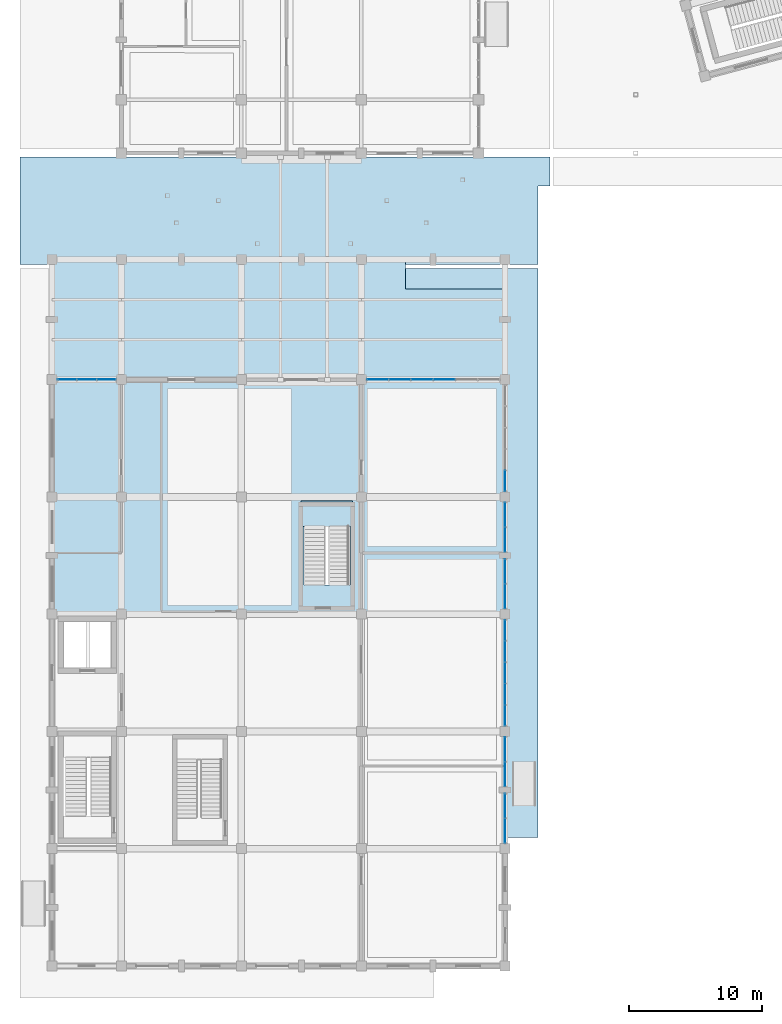
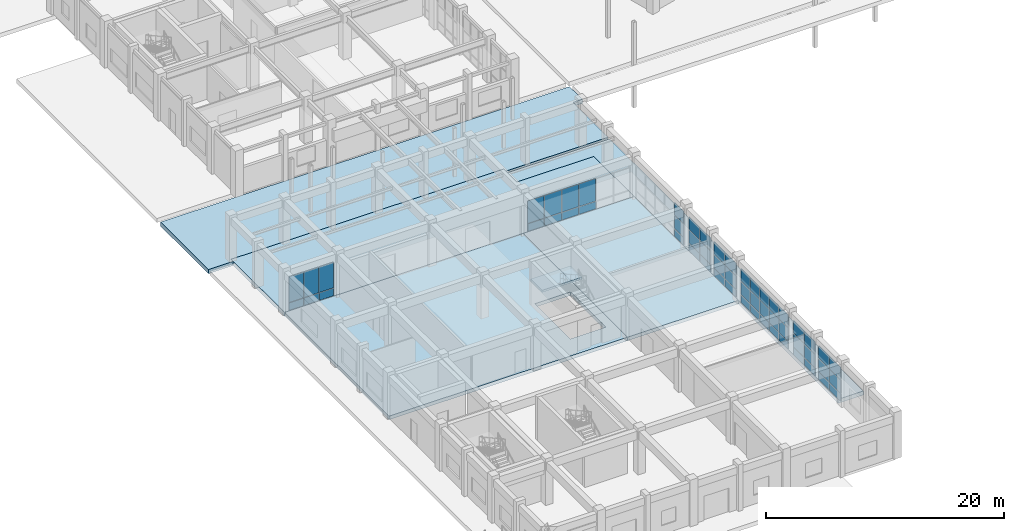
# One storey, part 28 of 47: 56 plates, 6 slabs, 9 elements without a shape of their own.
"""IFC4 building model written with IfcOpenShell, lengths in metres."""

import ifcopenshell
import ifcopenshell.guid

model = None  # the IFC model being written
_history = None  # IfcOwnerHistory: only IFC2X3 demands one
_inside = {}  # id of a spatial element -> (the spatial element, [elements in it])
_under = {}  # id of a project, library or spatial element -> (it, [spatial elements below it])
_declared = {}  # id of a project -> (the project, [libraries it declares])
_typed = {}  # id of a type object -> (the type object, [elements of that type])
_made_of = {}  # id of a material, layer set ... -> (it, [elements and type objects made of it])


def new_model(schema):
    """Start an empty IFC model of exactly this schema.

    Asked for "IFC4X3", IfcOpenShell would pick the latest addendum, in which some entities
    have other attributes; the version numbers below select the first issue.
    IFC2X3 requires an IfcOwnerHistory on every rooted entity: one is made here for all.
    """
    global model, _history
    if schema == "IFC4X3":
        model = ifcopenshell.file(schema_version=(4, 3, 0, 0))
    else:
        model = ifcopenshell.file(schema=schema)
    _inside.clear()
    _under.clear()
    _declared.clear()
    _typed.clear()
    _made_of.clear()
    _history = None
    if model.schema == "IFC2X3":
        org = make("IfcOrganization", Name="unknown")
        user = make(
            "IfcPersonAndOrganization",
            ThePerson=make("IfcPerson", FamilyName="unknown"),
            TheOrganization=org,
        )
        app = make(
            "IfcApplication",
            ApplicationDeveloper=org,
            Version="unknown",
            ApplicationFullName="unknown",
            ApplicationIdentifier="unknown",
        )
        _history = make(
            "IfcOwnerHistory",
            OwningUser=user,
            OwningApplication=app,
            ChangeAction="ADDED",
            CreationDate=0,
        )
    return model


def make(cls, **values):
    """One entity of the class cls with the attributes given. An attribute that is None is left unset."""
    return model.create_entity(
        cls, **{name: value for name, value in values.items() if value is not None}
    )


def rooted(cls, **values):
    """An entity with a GlobalId (a new one), such as an element, a storey or a relation."""
    return make(cls, GlobalId=ifcopenshell.guid.new(), OwnerHistory=_history, **values)


def si_unit(unit_type, name, prefix=None):
    """IfcSIUnit, for example si_unit("LENGTHUNIT", "METRE", prefix="MILLI")."""
    return make("IfcSIUnit", UnitType=unit_type, Prefix=prefix, Name=name)


def assignment(units):
    """IfcUnitAssignment: the units of a project."""
    return None if units is None else make("IfcUnitAssignment", Units=units)


def point(xyz):
    """IfcCartesianPoint."""
    return None if xyz is None else make("IfcCartesianPoint", Coordinates=xyz)


def direction(xyz):
    """IfcDirection."""
    return None if xyz is None else make("IfcDirection", DirectionRatios=xyz)


def frame(location, z_axis=None, x_axis=None):
    """IfcAxis2Placement3D, a coordinate frame: its origin and axes. An axis left out is left unset."""
    return make(
        "IfcAxis2Placement3D",
        Location=point(location),
        Axis=direction(z_axis),
        RefDirection=direction(x_axis),
    )


def frame_2d(location, x_axis=None):
    """IfcAxis2Placement2D, a coordinate frame in the plane: its origin and x axis."""
    return make(
        "IfcAxis2Placement2D", Location=point(location), RefDirection=direction(x_axis)
    )


def origin():
    """The frame at (0, 0, 0) with its axes left unset."""
    return frame((0.0, 0.0, 0.0))


def origin_2d():
    """The frame at (0, 0) in the plane with its x axis left unset."""
    return frame_2d((0.0, 0.0))


def place(relative_to, where):
    """IfcLocalPlacement: puts the frame where relative to a parent placement (None: the world)."""
    return make(
        "IfcLocalPlacement", PlacementRelTo=relative_to, RelativePlacement=where
    )


def context(
    kind, dimensions, precision=None, world=None, true_north=None, identifier=None
):
    """IfcGeometricRepresentationContext, for example the 3D "Model" context."""
    return make(
        "IfcGeometricRepresentationContext",
        ContextIdentifier=identifier,
        ContextType=kind,
        CoordinateSpaceDimension=dimensions,
        Precision=precision,
        WorldCoordinateSystem=world,
        TrueNorth=true_north,
    )


def subcontext(parent, identifier, kind, view, scale=None):
    """IfcGeometricRepresentationSubContext, for example "Body" below "Model"."""
    return make(
        "IfcGeometricRepresentationSubContext",
        ContextIdentifier=identifier,
        ContextType=kind,
        ParentContext=parent,
        TargetScale=scale,
        TargetView=view,
    )


def project(units=None, contexts=None):
    """IfcProject with its units and contexts."""
    return rooted(
        "IfcProject",
        Name="project",
        RepresentationContexts=contexts,
        UnitsInContext=assignment(units),
    )


def spatial(cls, under=None, at=None, **own):
    """A site, building, storey or space (cls), placed at a placement, below another one or the project."""
    s = rooted(cls, ObjectPlacement=at, **own)
    if under is not None:
        _under.setdefault(under.id(), (under, []))[1].append(s)
    return s


def polyline(points):
    """IfcPolyline through the points."""
    return make("IfcPolyline", Points=[point(p) for p in points])


def profile(cls, at=None, kind="AREA", **sizes):
    """A parametric profile (cls). Its sizes go by their IFC names, for example OverallWidth=200.0."""
    return make(cls, ProfileType=kind, Position=at, **sizes)


def rectangle(**sizes):
    """IfcRectangleProfileDef."""
    return profile("IfcRectangleProfileDef", **sizes)


def outline(outer, holes=None, kind="AREA"):
    """IfcArbitraryClosedProfileDef: a profile drawn as a closed curve; with holes, ...WithVoids."""
    if holes is None:
        return make("IfcArbitraryClosedProfileDef", ProfileType=kind, OuterCurve=outer)
    return make(
        "IfcArbitraryProfileDefWithVoids",
        ProfileType=kind,
        OuterCurve=outer,
        InnerCurves=holes,
    )


def extrude(swept, where, along, depth):
    """IfcExtrudedAreaSolid: the profile swept, set in the frame where, extruded along a direction by depth."""
    return make(
        "IfcExtrudedAreaSolid",
        SweptArea=swept,
        Position=where,
        ExtrudedDirection=direction(along),
        Depth=depth,
    )


def shape(context_of_items, identifier, shape_type, items):
    """IfcShapeRepresentation: the items that make up one representation, for example the "Body"."""
    return make(
        "IfcShapeRepresentation",
        ContextOfItems=context_of_items,
        RepresentationIdentifier=identifier,
        RepresentationType=shape_type,
        Items=items,
    )


def material(Name=None, Category=None):
    """IfcMaterial."""
    return make("IfcMaterial", Name=Name, Category=Category)


def layer(
    of_material, thickness, ventilated=None, Name=None, Category=None, Priority=None
):
    """IfcMaterialLayer: one layer of a wall or slab, of a material (None: an air gap)."""
    return make(
        "IfcMaterialLayer",
        Material=of_material,
        LayerThickness=thickness,
        IsVentilated=ventilated,
        Name=Name,
        Category=Category,
        Priority=Priority,
    )


def layer_set(layers, Name=None):
    """IfcMaterialLayerSet."""
    return make("IfcMaterialLayerSet", MaterialLayers=layers, LayerSetName=Name)


def made_of(thing, what):
    """Note that an element or type object is made of a material, layer set ...; save() writes the relation."""
    if what is not None:
        _made_of.setdefault(what.id(), (what, []))[1].append(thing)
    return thing


def type_object(cls, material=None, **own):
    """A type object (cls), such as IfcWallType, which elements share."""
    return made_of(rooted(cls, **own), material)


def element(
    cls,
    number,
    at=None,
    inside=None,
    cuts=None,
    type_object=None,
    material=None,
    context=None,
    identifier="Body",
    shape_type=None,
    held_by="IfcProductDefinitionShape",
    body=None,
    shapes=None,
    **own,
):
    """One element of the class cls, such as IfcWall. Its Tag is "e" and its number.

    at: its placement. inside: the storey or other place that contains it. cuts: it is an
    opening in that element (IfcRelVoidsElement). A single representation is given by context,
    identifier, shape_type and body (its items); several are given by shapes. held_by: the class
    of the entity that holds the representations. save() writes the other relations.
    """
    e = rooted(cls, Tag="e%d" % number, ObjectPlacement=at, **own)
    if body is not None:
        shapes = [shape(context, identifier, shape_type, body)]
    if shapes is not None:
        e.Representation = make(held_by, Representations=shapes)
    if inside is not None:
        _inside.setdefault(inside.id(), (inside, []))[1].append(e)
    if cuts is not None:
        rooted(
            "IfcRelVoidsElement", RelatingBuildingElement=cuts, RelatedOpeningElement=e
        )
    if type_object is not None:
        _typed.setdefault(type_object.id(), (type_object, []))[1].append(e)
    return made_of(e, material)


def aggregate(whole, parts):
    """IfcRelAggregates: a whole, such as a stair, and the parts it consists of."""
    return rooted("IfcRelAggregates", RelatingObject=whole, RelatedObjects=parts)


def save(model, path):
    """Write the relations noted so far, then the file.

    IfcRelAggregates (storeys below a building ...), IfcRelContainedInSpatialStructure (elements
    in a storey), IfcRelDefinesByType, IfcRelAssociatesMaterial and IfcRelDeclares: one each for
    every whole, place, type object, material and project.
    """
    for whole, parts in _under.values():
        aggregate(whole, parts)
    for where, things in _inside.values():
        rooted(
            "IfcRelContainedInSpatialStructure",
            RelatedElements=things,
            RelatingStructure=where,
        )
    for kind, things in _typed.values():
        rooted("IfcRelDefinesByType", RelatedObjects=things, RelatingType=kind)
    for what, things in _made_of.values():
        rooted("IfcRelAssociatesMaterial", RelatedObjects=things, RelatingMaterial=what)
    for by, libraries in _declared.values():
        rooted("IfcRelDeclares", RelatingContext=by, RelatedDefinitions=libraries)
    model.write(path)


model = new_model("IFC4")

# Units and contexts
model_context = context("Model", 3, precision=1e-05, world=origin(), true_north=direction((0.0, 1.0)))
body_context = subcontext(model_context, "Body", "Model", "MODEL_VIEW")
ifc_project = project(units=[si_unit("LENGTHUNIT", "METRE"), si_unit("AREAUNIT", "SQUARE_METRE"), si_unit("VOLUMEUNIT", "CUBIC_METRE"), si_unit("PLANEANGLEUNIT", "RADIAN"), si_unit("MASSUNIT", "GRAM", prefix="KILO")], contexts=[model_context])

# Site, building, storey
site_placement = place(None, origin())
site = spatial("IfcSite", under=ifc_project, at=site_placement, CompositionType="ELEMENT")
building_placement = place(site_placement, origin())
building = spatial("IfcBuilding", under=site, at=building_placement, Name="Ventoquebrada Cableway Terminal", CompositionType="ELEMENT")
storey_placement = place(building_placement, origin())
storey = spatial("IfcBuildingStorey", under=building, at=storey_placement, Name="L00", CompositionType="ELEMENT", Elevation=0.0)

# Curtain wall, plates
ifc_material_1 = material(Name="Anodized thermally-broken aluminium", Category="aluminium")
ifc_layer_1 = layer(ifc_material_1, 0.159912109375)
ifc_layer_set_1 = layer_set([ifc_layer_1], Name="Anodized thermally-broken aluminium")
curtain_wall_type_1 = type_object("IfcCurtainWallType", Name="CW-T01", PredefinedType="USERDEFINED", material=ifc_layer_set_1)
curtain_wall_1_placement = place(storey_placement, origin())
curtain_wall_1 = element("IfcCurtainWall", 1, at=curtain_wall_1_placement, inside=storey, type_object=curtain_wall_type_1, Name="Unitised glazed curtain wall CW-001", ObjectType="UNITISED CURTAIN WALL", PredefinedType="USERDEFINED")
ifc_material_2 = material(Name="Double low-e laminated safety glazing", Category="glass")
ifc_layer_2 = layer(ifc_material_2, 0.031982421875)
ifc_layer_set_2 = layer_set([ifc_layer_2], Name="Double low-e laminated safety glazing")
plate_type_1 = type_object("IfcPlateType", Name="CWP-GL1", PredefinedType="CURTAIN_PANEL", material=ifc_layer_set_2)
plate_1_placement = place(storey_placement, frame((37.0, 13.14501953125, 2.2724609375), z_axis=(0.0, 0.0, 1.0), x_axis=(0.0, 1.0, 0.0)))
plate_1 = element("IfcPlate", 2, at=plate_1_placement, type_object=plate_type_1, Name="Vision glazing panel PN-0003", PredefinedType="CURTAIN_PANEL", context=body_context, shape_type="SweptSolid", body=[
    extrude(rectangle(XDim=1.81103515625, YDim=0.031982421875, at=origin_2d()), origin(), (0.0, 0.0, 1.0), 1.29296875),
])
plate_2_placement = place(storey_placement, frame((37.0, 15.0048828125, 0.87451171875), z_axis=(0.0, 0.0, 1.0), x_axis=(0.0, 1.0, 0.0)))
plate_2 = element("IfcPlate", 3, at=plate_2_placement, type_object=plate_type_1, Name="Vision glazing panel PN-0005", PredefinedType="CURTAIN_PANEL", context=body_context, shape_type="SweptSolid", body=[
    extrude(rectangle(XDim=1.81103515625, YDim=0.031982421875, at=origin_2d()), origin(), (0.0, 0.0, 1.0), 1.34912109375),
])

curtain_wall_2_placement = place(storey_placement, origin())
curtain_wall_2 = element("IfcCurtainWall", 4, at=curtain_wall_2_placement, inside=storey, type_object=curtain_wall_type_1, Name="Unitised glazed curtain wall CW-002", ObjectType="UNITISED CURTAIN WALL", PredefinedType="USERDEFINED")
plate_3_placement = place(storey_placement, frame((37.0, 17.39501953125, 2.2724609375), z_axis=(0.0, 0.0, 1.0), x_axis=(0.0, 1.0, 0.0)))
plate_3 = element("IfcPlate", 5, at=plate_3_placement, type_object=plate_type_1, Name="Vision glazing panel PN-0009", PredefinedType="CURTAIN_PANEL", context=body_context, shape_type="SweptSolid", body=[
    extrude(rectangle(XDim=1.81103515625, YDim=0.031982421875, at=origin_2d()), origin(), (0.0, 0.0, 1.0), 1.29296875),
])
plate_4_placement = place(storey_placement, frame((37.0, 19.2548828125, 0.87451171875), z_axis=(0.0, 0.0, 1.0), x_axis=(0.0, 1.0, 0.0)))
plate_4 = element("IfcPlate", 6, at=plate_4_placement, type_object=plate_type_1, Name="Vision glazing panel PN-0011", PredefinedType="CURTAIN_PANEL", context=body_context, shape_type="SweptSolid", body=[
    extrude(rectangle(XDim=1.81103515625, YDim=0.031982421875, at=origin_2d()), origin(), (0.0, 0.0, 1.0), 1.34912109375),
])

ifc_layer_3 = layer(ifc_material_1, 0.159912109375)
ifc_layer_set_3 = layer_set([ifc_layer_3], Name="Anodized thermally-broken aluminium")
curtain_wall_type_2 = type_object("IfcCurtainWallType", Name="CW-T02", PredefinedType="USERDEFINED", material=ifc_layer_set_3)
curtain_wall_3_placement = place(storey_placement, origin())
curtain_wall_3 = element("IfcCurtainWall", 7, at=curtain_wall_3_placement, inside=storey, type_object=curtain_wall_type_2, Name="Unitised glazed curtain wall CW-003", ObjectType="UNITISED CURTAIN WALL", PredefinedType="USERDEFINED")
plate_5_placement = place(storey_placement, frame((37.0, 21.802001953125, 2.2724609375), z_axis=(0.0, 0.0, 1.0), x_axis=(0.0, 1.0, 0.0)))
plate_5 = element("IfcPlate", 8, at=plate_5_placement, type_object=plate_type_1, Name="Vision glazing panel PN-0015", PredefinedType="CURTAIN_PANEL", context=body_context, shape_type="SweptSolid", body=[
    extrude(rectangle(XDim=1.52392578125, YDim=0.031982421875, at=origin_2d()), origin(), (0.0, 0.0, 1.0), 1.29296875),
])
plate_6_placement = place(storey_placement, frame((37.0, 23.39208984375, 0.87451171875), z_axis=(0.0, 0.0, 1.0), x_axis=(0.0, 1.0, 0.0)))
plate_6 = element("IfcPlate", 9, at=plate_6_placement, type_object=plate_type_1, Name="Vision glazing panel PN-0017", PredefinedType="CURTAIN_PANEL", context=body_context, shape_type="SweptSolid", body=[
    extrude(rectangle(XDim=1.55908203125, YDim=0.031982421875, at=origin_2d()), origin(), (0.0, 0.0, 1.0), 1.34912109375),
])
plate_7_placement = place(storey_placement, frame((37.0, 25.0, 2.2724609375), z_axis=(0.0, 0.0, 1.0), x_axis=(0.0, 1.0, 0.0)))
plate_7 = element("IfcPlate", 10, at=plate_7_placement, type_object=plate_type_1, Name="Vision glazing panel PN-0021", PredefinedType="CURTAIN_PANEL", context=body_context, shape_type="SweptSolid", body=[
    extrude(rectangle(XDim=1.55908203125, YDim=0.031982421875, at=origin_2d()), origin(), (0.0, 0.0, 1.0), 1.29296875),
])
plate_8_placement = place(storey_placement, frame((37.0, 26.60791015625, 0.87451171875), z_axis=(0.0, 0.0, 1.0), x_axis=(0.0, 1.0, 0.0)))
plate_8 = element("IfcPlate", 11, at=plate_8_placement, type_object=plate_type_1, Name="Vision glazing panel PN-0023", PredefinedType="CURTAIN_PANEL", context=body_context, shape_type="SweptSolid", body=[
    extrude(rectangle(XDim=1.55908203125, YDim=0.031982421875, at=origin_2d()), origin(), (0.0, 0.0, 1.0), 1.34912109375),
])
plate_9_placement = place(storey_placement, frame((37.0, 28.197998046875, 2.2724609375), z_axis=(0.0, 0.0, 1.0), x_axis=(0.0, 1.0, 0.0)))
plate_9 = element("IfcPlate", 12, at=plate_9_placement, type_object=plate_type_1, Name="Vision glazing panel PN-0027", PredefinedType="CURTAIN_PANEL", context=body_context, shape_type="SweptSolid", body=[
    extrude(rectangle(XDim=1.52392578125, YDim=0.031982421875, at=origin_2d()), origin(), (0.0, 0.0, 1.0), 1.29296875),
])

curtain_wall_4_placement = place(storey_placement, origin())
curtain_wall_4 = element("IfcCurtainWall", 13, at=curtain_wall_4_placement, inside=storey, type_object=curtain_wall_type_1, Name="Unitised glazed curtain wall CW-004", ObjectType="UNITISED CURTAIN WALL", PredefinedType="USERDEFINED")
plate_10_placement = place(storey_placement, frame((37.0, 30.7451171875, 2.2724609375), z_axis=(0.0, 0.0, 1.0), x_axis=(0.0, 1.0, 0.0)))
plate_10 = element("IfcPlate", 14, at=plate_10_placement, type_object=plate_type_1, Name="Vision glazing panel PN-0030", PredefinedType="CURTAIN_PANEL", context=body_context, shape_type="SweptSolid", body=[
    extrude(rectangle(XDim=1.81103515625, YDim=0.031982421875, at=origin_2d()), origin(), (0.0, 0.0, 1.0), 1.29296875),
])
plate_11_placement = place(storey_placement, frame((37.0, 32.60498046875, 0.87451171875), z_axis=(0.0, 0.0, 1.0), x_axis=(0.0, 1.0, 0.0)))
plate_11 = element("IfcPlate", 15, at=plate_11_placement, type_object=plate_type_1, Name="Vision glazing panel PN-0032", PredefinedType="CURTAIN_PANEL", context=body_context, shape_type="SweptSolid", body=[
    extrude(rectangle(XDim=1.81103515625, YDim=0.031982421875, at=origin_2d()), origin(), (0.0, 0.0, 1.0), 1.34912109375),
])

curtain_wall_5_placement = place(storey_placement, origin())
curtain_wall_5 = element("IfcCurtainWall", 16, at=curtain_wall_5_placement, inside=storey, type_object=curtain_wall_type_1, Name="Unitised glazed curtain wall CW-005", ObjectType="UNITISED CURTAIN WALL", PredefinedType="USERDEFINED")
plate_12_placement = place(storey_placement, frame((37.0, 34.99609375, 2.2724609375), z_axis=(0.0, 0.0, 1.0), x_axis=(0.0, 1.0, 0.0)))
plate_12 = element("IfcPlate", 17, at=plate_12_placement, type_object=plate_type_1, Name="Vision glazing panel PN-0036", PredefinedType="CURTAIN_PANEL", context=body_context, shape_type="SweptSolid", body=[
    extrude(rectangle(XDim=1.81103515625, YDim=0.031982421875, at=origin_2d()), origin(), (0.0, 0.0, 1.0), 1.29296875),
])
plate_13_placement = place(storey_placement, frame((37.0, 36.85595703125, 0.87451171875), z_axis=(0.0, 0.0, 1.0), x_axis=(0.0, 1.0, 0.0)))
plate_13 = element("IfcPlate", 18, at=plate_13_placement, type_object=plate_type_1, Name="Vision glazing panel PN-0038", PredefinedType="CURTAIN_PANEL", context=body_context, shape_type="SweptSolid", body=[
    extrude(rectangle(XDim=1.81103515625, YDim=0.031982421875, at=origin_2d()), origin(), (0.0, 0.0, 1.0), 1.34912109375),
])

# Curtain wall, plate
curtain_wall_6_placement = place(storey_placement, origin())
curtain_wall_6 = element("IfcCurtainWall", 19, at=curtain_wall_6_placement, inside=storey, type_object=curtain_wall_type_2, Name="Unitised glazed curtain wall CW-006", ObjectType="UNITISED CURTAIN WALL", PredefinedType="USERDEFINED")
plate_14_placement = place(storey_placement, frame((37.0, 39.40087890625, 2.2724609375), z_axis=(0.0, 0.0, 1.0), x_axis=(0.0, 1.0, 0.0)))
plate_14 = element("IfcPlate", 20, at=plate_14_placement, type_object=plate_type_1, Name="Vision glazing panel PN-0042", PredefinedType="CURTAIN_PANEL", context=body_context, shape_type="SweptSolid", body=[
    extrude(rectangle(XDim=1.52392578125, YDim=0.031982421875, at=origin_2d()), origin(), (0.0, 0.0, 1.0), 1.29296875),
])

ifc_layer_4 = layer(ifc_material_1, 0.159912109375)
ifc_layer_set_4 = layer_set([ifc_layer_4], Name="Anodized thermally-broken aluminium")
curtain_wall_type_3 = type_object("IfcCurtainWallType", Name="CW-T03", PredefinedType="USERDEFINED", material=ifc_layer_set_4)
curtain_wall_7_placement = place(storey_placement, origin())
curtain_wall_7 = element("IfcCurtainWall", 21, at=curtain_wall_7_placement, inside=storey, type_object=curtain_wall_type_3, Name="Unitised glazed curtain wall CW-007", ObjectType="UNITISED CURTAIN WALL", PredefinedType="USERDEFINED")
plate_15_placement = place(storey_placement, frame((5.60009765625, 47.0, 0.87451171875), z_axis=(0.0, 0.0, 1.0), x_axis=(-1.0, 0.0, 0.0)))
plate_15 = element("IfcPlate", 22, at=plate_15_placement, type_object=plate_type_1, Name="Vision glazing panel PN-0058", PredefinedType="CURTAIN_PANEL", context=body_context, shape_type="SweptSolid", body=[
    extrude(rectangle(XDim=1.430908203125, YDim=0.031982421875, at=origin_2d()), origin(), (0.0, 0.0, 1.0), 2.65087890625),
])

# Curtain wall, plates
ifc_layer_5 = layer(ifc_material_1, 0.159912109375)
ifc_layer_set_5 = layer_set([ifc_layer_5], Name="Anodized thermally-broken aluminium")
curtain_wall_type_4 = type_object("IfcCurtainWallType", Name="CW-T04", PredefinedType="USERDEFINED", material=ifc_layer_set_5)
curtain_wall_8_placement = place(storey_placement, origin())
curtain_wall_8 = element("IfcCurtainWall", 23, at=curtain_wall_8_placement, inside=storey, type_object=curtain_wall_type_4, Name="Unitised glazed curtain wall CW-008", ObjectType="UNITISED CURTAIN WALL", PredefinedType="USERDEFINED")
plate_16_placement = place(storey_placement, frame((30.762939453125, 47.0, 0.87451171875), z_axis=(0.0, 0.0, 1.0), x_axis=(-1.0, 0.0, 0.0)))
plate_16 = element("IfcPlate", 24, at=plate_16_placement, type_object=plate_type_1, Name="Vision glazing panel PN-0068", PredefinedType="CURTAIN_PANEL", context=body_context, shape_type="SweptSolid", body=[
    extrude(rectangle(XDim=1.6240234375, YDim=0.031982421875, at=origin_2d()), origin(), (0.0, 0.0, 1.0), 2.301025390625),
])
plate_17_placement = place(storey_placement, frame((27.43408203125, 47.0, 0.87451171875), z_axis=(0.0, 0.0, 1.0), x_axis=(-1.0, 0.0, 0.0)))
plate_17 = element("IfcPlate", 25, at=plate_17_placement, type_object=plate_type_1, Name="Vision glazing panel PN-0072", PredefinedType="CURTAIN_PANEL", context=body_context, shape_type="SweptSolid", body=[
    extrude(rectangle(XDim=1.589111328125, YDim=0.031982421875, at=origin_2d()), origin(), (0.0, 0.0, 1.0), 2.301025390625),
])

# Plate
ifc_layer_6 = layer(ifc_material_2, 0.0380859375)
ifc_layer_set_6 = layer_set([ifc_layer_6], Name="Double low-e laminated safety glazing")
plate_type_2 = type_object("IfcPlateType", Name="CWP-GL2", PredefinedType="CURTAIN_PANEL", material=ifc_layer_set_6)
plate_18_placement = place(storey_placement, frame((37.0, 13.14501953125, 0.87451171875), z_axis=(0.0, 0.0, 1.0), x_axis=(0.0, 1.0, 0.0)))
plate_18 = element("IfcPlate", 26, at=plate_18_placement, type_object=plate_type_2, Name="Vision glazing panel PN-0002", PredefinedType="CURTAIN_PANEL", context=body_context, shape_type="SweptSolid", body=[
    extrude(rectangle(XDim=1.81103515625, YDim=0.0380859375, at=origin_2d()), origin(), (0.0, 0.0, 1.0), 1.34912109375),
])

plate_19_placement = place(storey_placement, frame((37.0, 15.0048828125, 2.2724609375), z_axis=(0.0, 0.0, 1.0), x_axis=(0.0, 1.0, 0.0)))
plate_19 = element("IfcPlate", 27, at=plate_19_placement, type_object=plate_type_2, Name="Vision glazing panel PN-0006", PredefinedType="CURTAIN_PANEL", context=body_context, shape_type="SweptSolid", body=[
    extrude(rectangle(XDim=1.81103515625, YDim=0.0380859375, at=origin_2d()), origin(), (0.0, 0.0, 1.0), 1.29296875),
])

plate_20_placement = place(storey_placement, frame((37.0, 17.39501953125, 0.87451171875), z_axis=(0.0, 0.0, 1.0), x_axis=(0.0, 1.0, 0.0)))
plate_20 = element("IfcPlate", 28, at=plate_20_placement, type_object=plate_type_2, Name="Vision glazing panel PN-0008", PredefinedType="CURTAIN_PANEL", context=body_context, shape_type="SweptSolid", body=[
    extrude(rectangle(XDim=1.81103515625, YDim=0.0380859375, at=origin_2d()), origin(), (0.0, 0.0, 1.0), 1.34912109375),
])

plate_21_placement = place(storey_placement, frame((37.0, 19.2548828125, 2.2724609375), z_axis=(0.0, 0.0, 1.0), x_axis=(0.0, 1.0, 0.0)))
plate_21 = element("IfcPlate", 29, at=plate_21_placement, type_object=plate_type_2, Name="Vision glazing panel PN-0012", PredefinedType="CURTAIN_PANEL", context=body_context, shape_type="SweptSolid", body=[
    extrude(rectangle(XDim=1.81103515625, YDim=0.0380859375, at=origin_2d()), origin(), (0.0, 0.0, 1.0), 1.29296875),
])

plate_22_placement = place(storey_placement, frame((37.0, 21.802001953125, 0.87451171875), z_axis=(0.0, 0.0, 1.0), x_axis=(0.0, 1.0, 0.0)))
plate_22 = element("IfcPlate", 30, at=plate_22_placement, type_object=plate_type_2, Name="Vision glazing panel PN-0014", PredefinedType="CURTAIN_PANEL", context=body_context, shape_type="SweptSolid", body=[
    extrude(rectangle(XDim=1.52392578125, YDim=0.0380859375, at=origin_2d()), origin(), (0.0, 0.0, 1.0), 1.34912109375),
])

plate_23_placement = place(storey_placement, frame((37.0, 23.39208984375, 2.2724609375), z_axis=(0.0, 0.0, 1.0), x_axis=(0.0, 1.0, 0.0)))
plate_23 = element("IfcPlate", 31, at=plate_23_placement, type_object=plate_type_2, Name="Vision glazing panel PN-0018", PredefinedType="CURTAIN_PANEL", context=body_context, shape_type="SweptSolid", body=[
    extrude(rectangle(XDim=1.55908203125, YDim=0.0380859375, at=origin_2d()), origin(), (0.0, 0.0, 1.0), 1.29296875),
])

plate_24_placement = place(storey_placement, frame((37.0, 25.0, 0.87451171875), z_axis=(0.0, 0.0, 1.0), x_axis=(0.0, 1.0, 0.0)))
plate_24 = element("IfcPlate", 32, at=plate_24_placement, type_object=plate_type_2, Name="Vision glazing panel PN-0020", PredefinedType="CURTAIN_PANEL", context=body_context, shape_type="SweptSolid", body=[
    extrude(rectangle(XDim=1.55908203125, YDim=0.0380859375, at=origin_2d()), origin(), (0.0, 0.0, 1.0), 1.34912109375),
])

plate_25_placement = place(storey_placement, frame((37.0, 26.60791015625, 2.2724609375), z_axis=(0.0, 0.0, 1.0), x_axis=(0.0, 1.0, 0.0)))
plate_25 = element("IfcPlate", 33, at=plate_25_placement, type_object=plate_type_2, Name="Vision glazing panel PN-0024", PredefinedType="CURTAIN_PANEL", context=body_context, shape_type="SweptSolid", body=[
    extrude(rectangle(XDim=1.55908203125, YDim=0.0380859375, at=origin_2d()), origin(), (0.0, 0.0, 1.0), 1.29296875),
])

plate_26_placement = place(storey_placement, frame((37.0, 28.197998046875, 0.87451171875), z_axis=(0.0, 0.0, 1.0), x_axis=(0.0, 1.0, 0.0)))
plate_26 = element("IfcPlate", 34, at=plate_26_placement, type_object=plate_type_2, Name="Vision glazing panel PN-0026", PredefinedType="CURTAIN_PANEL", context=body_context, shape_type="SweptSolid", body=[
    extrude(rectangle(XDim=1.52392578125, YDim=0.0380859375, at=origin_2d()), origin(), (0.0, 0.0, 1.0), 1.34912109375),
])

plate_27_placement = place(storey_placement, frame((37.0, 30.7451171875, 0.87451171875), z_axis=(0.0, 0.0, 1.0), x_axis=(0.0, 1.0, 0.0)))
plate_27 = element("IfcPlate", 35, at=plate_27_placement, type_object=plate_type_2, Name="Vision glazing panel PN-0029", PredefinedType="CURTAIN_PANEL", context=body_context, shape_type="SweptSolid", body=[
    extrude(rectangle(XDim=1.81103515625, YDim=0.0380859375, at=origin_2d()), origin(), (0.0, 0.0, 1.0), 1.34912109375),
])

plate_28_placement = place(storey_placement, frame((37.0, 32.60498046875, 2.2724609375), z_axis=(0.0, 0.0, 1.0), x_axis=(0.0, 1.0, 0.0)))
plate_28 = element("IfcPlate", 36, at=plate_28_placement, type_object=plate_type_2, Name="Vision glazing panel PN-0033", PredefinedType="CURTAIN_PANEL", context=body_context, shape_type="SweptSolid", body=[
    extrude(rectangle(XDim=1.81103515625, YDim=0.0380859375, at=origin_2d()), origin(), (0.0, 0.0, 1.0), 1.29296875),
])

plate_29_placement = place(storey_placement, frame((37.0, 34.99609375, 0.87451171875), z_axis=(0.0, 0.0, 1.0), x_axis=(0.0, 1.0, 0.0)))
plate_29 = element("IfcPlate", 37, at=plate_29_placement, type_object=plate_type_2, Name="Vision glazing panel PN-0035", PredefinedType="CURTAIN_PANEL", context=body_context, shape_type="SweptSolid", body=[
    extrude(rectangle(XDim=1.81103515625, YDim=0.0380859375, at=origin_2d()), origin(), (0.0, 0.0, 1.0), 1.34912109375),
])

plate_30_placement = place(storey_placement, frame((37.0, 36.85595703125, 2.2724609375), z_axis=(0.0, 0.0, 1.0), x_axis=(0.0, 1.0, 0.0)))
plate_30 = element("IfcPlate", 38, at=plate_30_placement, type_object=plate_type_2, Name="Vision glazing panel PN-0039", PredefinedType="CURTAIN_PANEL", context=body_context, shape_type="SweptSolid", body=[
    extrude(rectangle(XDim=1.81103515625, YDim=0.0380859375, at=origin_2d()), origin(), (0.0, 0.0, 1.0), 1.29296875),
])

plate_31_placement = place(storey_placement, frame((37.0, 39.40087890625, 0.87451171875), z_axis=(0.0, 0.0, 1.0), x_axis=(0.0, 1.0, 0.0)))
plate_31 = element("IfcPlate", 39, at=plate_31_placement, type_object=plate_type_2, Name="Vision glazing panel PN-0041", PredefinedType="CURTAIN_PANEL", context=body_context, shape_type="SweptSolid", body=[
    extrude(rectangle(XDim=1.52392578125, YDim=0.0380859375, at=origin_2d()), origin(), (0.0, 0.0, 1.0), 1.34912109375),
])

plate_32_placement = place(storey_placement, frame((7.06201171875, 47.0, 0.87451171875), z_axis=(0.0, 0.0, 1.0), x_axis=(-1.0, 0.0, 0.0)))
plate_32 = element("IfcPlate", 40, at=plate_32_placement, type_object=plate_type_2, Name="Vision glazing panel PN-0056", PredefinedType="CURTAIN_PANEL", context=body_context, shape_type="SweptSolid", body=[
    extrude(rectangle(XDim=1.39599609375, YDim=0.0380859375, at=origin_2d()), origin(), (0.0, 0.0, 1.0), 2.65087890625),
])

plate_33_placement = place(storey_placement, frame((4.136962890625, 47.0, 0.87451171875), z_axis=(0.0, 0.0, 1.0), x_axis=(-1.0, 0.0, 0.0)))
plate_33 = element("IfcPlate", 41, at=plate_33_placement, type_object=plate_type_2, Name="Vision glazing panel PN-0060", PredefinedType="CURTAIN_PANEL", context=body_context, shape_type="SweptSolid", body=[
    extrude(rectangle(XDim=1.39599609375, YDim=0.0380859375, at=origin_2d()), origin(), (0.0, 0.0, 1.0), 2.65087890625),
])

plate_34_placement = place(storey_placement, frame((32.43701171875, 47.0, 0.87451171875), z_axis=(0.0, 0.0, 1.0), x_axis=(-1.0, 0.0, 0.0)))
plate_34 = element("IfcPlate", 42, at=plate_34_placement, type_object=plate_type_2, Name="Vision glazing panel PN-0066", PredefinedType="CURTAIN_PANEL", context=body_context, shape_type="SweptSolid", body=[
    extrude(rectangle(XDim=1.6240234375, YDim=0.0380859375, at=origin_2d()), origin(), (0.0, 0.0, 1.0), 2.301025390625),
])

plate_35_placement = place(storey_placement, frame((29.090087890625, 47.0, 0.87451171875), z_axis=(0.0, 0.0, 1.0), x_axis=(-1.0, 0.0, 0.0)))
plate_35 = element("IfcPlate", 43, at=plate_35_placement, type_object=plate_type_2, Name="Vision glazing panel PN-0070", PredefinedType="CURTAIN_PANEL", context=body_context, shape_type="SweptSolid", body=[
    extrude(rectangle(XDim=1.6240234375, YDim=0.0380859375, at=origin_2d()), origin(), (0.0, 0.0, 1.0), 2.301025390625),
])

ifc_material_3 = material(Name="Insulated aluminium spandrel cassette", Category="aluminium")
ifc_layer_7 = layer(ifc_material_3, 0.044921875)
ifc_layer_set_7 = layer_set([ifc_layer_7], Name="Insulated aluminium spandrel cassette")
plate_type_3 = type_object("IfcPlateType", Name="CWP-SP1", PredefinedType="CURTAIN_PANEL", material=ifc_layer_set_7)
plate_36_placement = place(storey_placement, frame((37.0, 13.14501953125, 0.06005859375), z_axis=(0.0, 0.0, 1.0), x_axis=(0.0, 1.0, 0.0)))
plate_36 = element("IfcPlate", 44, at=plate_36_placement, type_object=plate_type_3, Name="Insulated spandrel panel PN-0001", PredefinedType="CURTAIN_PANEL", context=body_context, shape_type="SweptSolid", body=[
    extrude(rectangle(XDim=1.81103515625, YDim=0.044921875, at=origin_2d()), origin(), (0.0, 0.0, 1.0), 0.76611328125),
])

plate_37_placement = place(storey_placement, frame((37.0, 15.0048828125, 0.06005859375), z_axis=(0.0, 0.0, 1.0), x_axis=(0.0, 1.0, 0.0)))
plate_37 = element("IfcPlate", 45, at=plate_37_placement, type_object=plate_type_3, Name="Insulated spandrel panel PN-0004", PredefinedType="CURTAIN_PANEL", context=body_context, shape_type="SweptSolid", body=[
    extrude(rectangle(XDim=1.81103515625, YDim=0.044921875, at=origin_2d()), origin(), (0.0, 0.0, 1.0), 0.76611328125),
])

aggregate(curtain_wall_1, [plate_36, plate_18, plate_1, plate_37, plate_2, plate_19])

plate_38_placement = place(storey_placement, frame((37.0, 17.39501953125, 0.06005859375), z_axis=(0.0, 0.0, 1.0), x_axis=(0.0, 1.0, 0.0)))
plate_38 = element("IfcPlate", 46, at=plate_38_placement, type_object=plate_type_3, Name="Insulated spandrel panel PN-0007", PredefinedType="CURTAIN_PANEL", context=body_context, shape_type="SweptSolid", body=[
    extrude(rectangle(XDim=1.81103515625, YDim=0.044921875, at=origin_2d()), origin(), (0.0, 0.0, 1.0), 0.76611328125),
])

plate_39_placement = place(storey_placement, frame((37.0, 19.2548828125, 0.06005859375), z_axis=(0.0, 0.0, 1.0), x_axis=(0.0, 1.0, 0.0)))
plate_39 = element("IfcPlate", 47, at=plate_39_placement, type_object=plate_type_3, Name="Insulated spandrel panel PN-0010", PredefinedType="CURTAIN_PANEL", context=body_context, shape_type="SweptSolid", body=[
    extrude(rectangle(XDim=1.81103515625, YDim=0.044921875, at=origin_2d()), origin(), (0.0, 0.0, 1.0), 0.76611328125),
])

aggregate(curtain_wall_2, [plate_38, plate_20, plate_3, plate_39, plate_4, plate_21])

plate_40_placement = place(storey_placement, frame((37.0, 21.802001953125, 0.06005859375), z_axis=(0.0, 0.0, 1.0), x_axis=(0.0, 1.0, 0.0)))
plate_40 = element("IfcPlate", 48, at=plate_40_placement, type_object=plate_type_3, Name="Insulated spandrel panel PN-0013", PredefinedType="CURTAIN_PANEL", context=body_context, shape_type="SweptSolid", body=[
    extrude(rectangle(XDim=1.52392578125, YDim=0.044921875, at=origin_2d()), origin(), (0.0, 0.0, 1.0), 0.76611328125),
])

plate_41_placement = place(storey_placement, frame((37.0, 23.39208984375, 0.06005859375), z_axis=(0.0, 0.0, 1.0), x_axis=(0.0, 1.0, 0.0)))
plate_41 = element("IfcPlate", 49, at=plate_41_placement, type_object=plate_type_3, Name="Insulated spandrel panel PN-0016", PredefinedType="CURTAIN_PANEL", context=body_context, shape_type="SweptSolid", body=[
    extrude(rectangle(XDim=1.55908203125, YDim=0.044921875, at=origin_2d()), origin(), (0.0, 0.0, 1.0), 0.76611328125),
])

plate_42_placement = place(storey_placement, frame((37.0, 25.0, 0.06005859375), z_axis=(0.0, 0.0, 1.0), x_axis=(0.0, 1.0, 0.0)))
plate_42 = element("IfcPlate", 50, at=plate_42_placement, type_object=plate_type_3, Name="Insulated spandrel panel PN-0019", PredefinedType="CURTAIN_PANEL", context=body_context, shape_type="SweptSolid", body=[
    extrude(rectangle(XDim=1.55908203125, YDim=0.044921875, at=origin_2d()), origin(), (0.0, 0.0, 1.0), 0.76611328125),
])

plate_43_placement = place(storey_placement, frame((37.0, 26.60791015625, 0.06005859375), z_axis=(0.0, 0.0, 1.0), x_axis=(0.0, 1.0, 0.0)))
plate_43 = element("IfcPlate", 51, at=plate_43_placement, type_object=plate_type_3, Name="Insulated spandrel panel PN-0022", PredefinedType="CURTAIN_PANEL", context=body_context, shape_type="SweptSolid", body=[
    extrude(rectangle(XDim=1.55908203125, YDim=0.044921875, at=origin_2d()), origin(), (0.0, 0.0, 1.0), 0.76611328125),
])

plate_44_placement = place(storey_placement, frame((37.0, 28.197998046875, 0.06005859375), z_axis=(0.0, 0.0, 1.0), x_axis=(0.0, 1.0, 0.0)))
plate_44 = element("IfcPlate", 52, at=plate_44_placement, type_object=plate_type_3, Name="Insulated spandrel panel PN-0025", PredefinedType="CURTAIN_PANEL", context=body_context, shape_type="SweptSolid", body=[
    extrude(rectangle(XDim=1.52392578125, YDim=0.044921875, at=origin_2d()), origin(), (0.0, 0.0, 1.0), 0.76611328125),
])

aggregate(curtain_wall_3, [plate_40, plate_22, plate_5, plate_41, plate_6, plate_23, plate_42, plate_24, plate_7, plate_43, plate_8, plate_25, plate_44, plate_26, plate_9])

plate_45_placement = place(storey_placement, frame((37.0, 30.7451171875, 0.06005859375), z_axis=(0.0, 0.0, 1.0), x_axis=(0.0, 1.0, 0.0)))
plate_45 = element("IfcPlate", 53, at=plate_45_placement, type_object=plate_type_3, Name="Insulated spandrel panel PN-0028", PredefinedType="CURTAIN_PANEL", context=body_context, shape_type="SweptSolid", body=[
    extrude(rectangle(XDim=1.81103515625, YDim=0.044921875, at=origin_2d()), origin(), (0.0, 0.0, 1.0), 0.76611328125),
])

plate_46_placement = place(storey_placement, frame((37.0, 32.60498046875, 0.06005859375), z_axis=(0.0, 0.0, 1.0), x_axis=(0.0, 1.0, 0.0)))
plate_46 = element("IfcPlate", 54, at=plate_46_placement, type_object=plate_type_3, Name="Insulated spandrel panel PN-0031", PredefinedType="CURTAIN_PANEL", context=body_context, shape_type="SweptSolid", body=[
    extrude(rectangle(XDim=1.81103515625, YDim=0.044921875, at=origin_2d()), origin(), (0.0, 0.0, 1.0), 0.76611328125),
])

aggregate(curtain_wall_4, [plate_45, plate_27, plate_10, plate_46, plate_11, plate_28])

plate_47_placement = place(storey_placement, frame((37.0, 34.99609375, 0.06005859375), z_axis=(0.0, 0.0, 1.0), x_axis=(0.0, 1.0, 0.0)))
plate_47 = element("IfcPlate", 55, at=plate_47_placement, type_object=plate_type_3, Name="Insulated spandrel panel PN-0034", PredefinedType="CURTAIN_PANEL", context=body_context, shape_type="SweptSolid", body=[
    extrude(rectangle(XDim=1.81103515625, YDim=0.044921875, at=origin_2d()), origin(), (0.0, 0.0, 1.0), 0.76611328125),
])

plate_48_placement = place(storey_placement, frame((37.0, 36.85595703125, 0.06005859375), z_axis=(0.0, 0.0, 1.0), x_axis=(0.0, 1.0, 0.0)))
plate_48 = element("IfcPlate", 56, at=plate_48_placement, type_object=plate_type_3, Name="Insulated spandrel panel PN-0037", PredefinedType="CURTAIN_PANEL", context=body_context, shape_type="SweptSolid", body=[
    extrude(rectangle(XDim=1.81103515625, YDim=0.044921875, at=origin_2d()), origin(), (0.0, 0.0, 1.0), 0.76611328125),
])

aggregate(curtain_wall_5, [plate_47, plate_29, plate_12, plate_48, plate_13, plate_30])

plate_49_placement = place(storey_placement, frame((37.0, 39.40087890625, 0.06005859375), z_axis=(0.0, 0.0, 1.0), x_axis=(0.0, 1.0, 0.0)))
plate_49 = element("IfcPlate", 57, at=plate_49_placement, type_object=plate_type_3, Name="Insulated spandrel panel PN-0040", PredefinedType="CURTAIN_PANEL", context=body_context, shape_type="SweptSolid", body=[
    extrude(rectangle(XDim=1.52392578125, YDim=0.044921875, at=origin_2d()), origin(), (0.0, 0.0, 1.0), 0.76611328125),
])

aggregate(curtain_wall_6, [plate_49, plate_31, plate_14])

plate_50_placement = place(storey_placement, frame((7.06201171875, 47.0, 0.06005859375), z_axis=(0.0, 0.0, 1.0), x_axis=(-1.0, 0.0, 0.0)))
plate_50 = element("IfcPlate", 58, at=plate_50_placement, type_object=plate_type_3, Name="Insulated spandrel panel PN-0055", PredefinedType="CURTAIN_PANEL", context=body_context, shape_type="SweptSolid", body=[
    extrude(rectangle(XDim=1.39599609375, YDim=0.044921875, at=origin_2d()), origin(), (0.0, 0.0, 1.0), 0.76611328125),
])

plate_51_placement = place(storey_placement, frame((5.60009765625, 47.0, 0.06005859375), z_axis=(0.0, 0.0, 1.0), x_axis=(-1.0, 0.0, 0.0)))
plate_51 = element("IfcPlate", 59, at=plate_51_placement, type_object=plate_type_3, Name="Insulated spandrel panel PN-0057", PredefinedType="CURTAIN_PANEL", context=body_context, shape_type="SweptSolid", body=[
    extrude(rectangle(XDim=1.430908203125, YDim=0.044921875, at=origin_2d()), origin(), (0.0, 0.0, 1.0), 0.76611328125),
])

plate_52_placement = place(storey_placement, frame((4.136962890625, 47.0, 0.06005859375), z_axis=(0.0, 0.0, 1.0), x_axis=(-1.0, 0.0, 0.0)))
plate_52 = element("IfcPlate", 60, at=plate_52_placement, type_object=plate_type_3, Name="Insulated spandrel panel PN-0059", PredefinedType="CURTAIN_PANEL", context=body_context, shape_type="SweptSolid", body=[
    extrude(rectangle(XDim=1.39599609375, YDim=0.044921875, at=origin_2d()), origin(), (0.0, 0.0, 1.0), 0.76611328125),
])

aggregate(curtain_wall_7, [plate_50, plate_32, plate_51, plate_15, plate_52, plate_33])

plate_53_placement = place(storey_placement, frame((32.43701171875, 47.0, 0.06005859375), z_axis=(0.0, 0.0, 1.0), x_axis=(-1.0, 0.0, 0.0)))
plate_53 = element("IfcPlate", 61, at=plate_53_placement, type_object=plate_type_3, Name="Insulated spandrel panel PN-0065", PredefinedType="CURTAIN_PANEL", context=body_context, shape_type="SweptSolid", body=[
    extrude(rectangle(XDim=1.6240234375, YDim=0.044921875, at=origin_2d()), origin(), (0.0, 0.0, 1.0), 0.76611328125),
])

plate_54_placement = place(storey_placement, frame((30.762939453125, 47.0, 0.06005859375), z_axis=(0.0, 0.0, 1.0), x_axis=(-1.0, 0.0, 0.0)))
plate_54 = element("IfcPlate", 62, at=plate_54_placement, type_object=plate_type_3, Name="Insulated spandrel panel PN-0067", PredefinedType="CURTAIN_PANEL", context=body_context, shape_type="SweptSolid", body=[
    extrude(rectangle(XDim=1.6240234375, YDim=0.044921875, at=origin_2d()), origin(), (0.0, 0.0, 1.0), 0.76611328125),
])

plate_55_placement = place(storey_placement, frame((29.090087890625, 47.0, 0.06005859375), z_axis=(0.0, 0.0, 1.0), x_axis=(-1.0, 0.0, 0.0)))
plate_55 = element("IfcPlate", 63, at=plate_55_placement, type_object=plate_type_3, Name="Insulated spandrel panel PN-0069", PredefinedType="CURTAIN_PANEL", context=body_context, shape_type="SweptSolid", body=[
    extrude(rectangle(XDim=1.6240234375, YDim=0.044921875, at=origin_2d()), origin(), (0.0, 0.0, 1.0), 0.76611328125),
])

plate_56_placement = place(storey_placement, frame((27.43408203125, 47.0, 0.06005859375), z_axis=(0.0, 0.0, 1.0), x_axis=(-1.0, 0.0, 0.0)))
plate_56 = element("IfcPlate", 64, at=plate_56_placement, type_object=plate_type_3, Name="Insulated spandrel panel PN-0071", PredefinedType="CURTAIN_PANEL", context=body_context, shape_type="SweptSolid", body=[
    extrude(rectangle(XDim=1.589111328125, YDim=0.044921875, at=origin_2d()), origin(), (0.0, 0.0, 1.0), 0.76611328125),
])

aggregate(curtain_wall_8, [plate_53, plate_34, plate_54, plate_16, plate_55, plate_35, plate_56, plate_17])

# Slabs
ifc_material_4 = material(Name="Concrete C40/50", Category="concrete")
ifc_layer_8 = layer(ifc_material_4, 0.360107421875)
ifc_layer_set_8 = layer_set([ifc_layer_8], Name="Concrete C40/50")
slab_type_1 = type_object("IfcSlabType", Name="SL-FL1", PredefinedType="FLOOR", material=ifc_layer_set_8)
slab_1_placement = place(storey_placement, frame((0.0, 0.0, -0.360107421875)))
element("IfcSlab", 65, at=slab_1_placement, inside=storey, type_object=slab_type_1, Name="Reinforced concrete floor slab SL-004", PredefinedType="FLOOR", context=body_context, shape_type="SweptSolid", body=[
    extrude(outline(polyline([(26.199951171875, 29.39990234375), (26.199951171875, 47.0), (3.0, 47.0), (3.0, 29.39990234375), (26.199951171875, 29.39990234375)]), holes=[polyline([(25.35009765625, 31.590087890625), (21.89990234375, 31.590087890625), (21.89990234375, 37.550048828125), (25.35009765625, 37.550048828125), (25.35009765625, 31.590087890625)])]), origin(), (0.0, 0.0, 1.0), 0.360107421875),
])
slab_2_placement = place(storey_placement, frame((0.0, 0.0, -0.360107421875)))
element("IfcSlab", 66, at=slab_2_placement, inside=storey, type_object=slab_type_1, Name="Reinforced concrete floor slab SL-006", PredefinedType="FLOOR", context=body_context, shape_type="SweptSolid", body=[
    extrude(outline(polyline([(37.0, 29.39990234375), (37.0, 47.0), (26.199951171875, 47.0), (26.199951171875, 29.39990234375), (37.0, 29.39990234375)])), origin(), (0.0, 0.0, 1.0), 0.360107421875),
])

# Stair, slab
stair_type = type_object("IfcStairType", Name="ST-T04", PredefinedType="HALF_TURN_STAIR", material=ifc_material_4)
stair_placement = place(storey_placement, origin())
stair = element("IfcStair", 67, at=stair_placement, inside=storey, type_object=stair_type, Name="Protected half-turn stair ST-04", PredefinedType="HALF_TURN_STAIR")
ifc_layer_9 = layer(ifc_material_4, 0.219970703125)
ifc_layer_set_9 = layer_set([ifc_layer_9], Name="Concrete C40/50")
slab_type_2 = type_object("IfcSlabType", Name="SL-LD1", PredefinedType="LANDING", material=ifc_layer_set_9)
slab_3_placement = place(storey_placement, frame((0.0, 0.0, 2.179931640625)))
slab_3 = element("IfcSlab", 68, at=slab_3_placement, type_object=slab_type_2, Name="Intermediate stair landing LDG-004", PredefinedType="LANDING", context=body_context, shape_type="SweptSolid", body=[
    extrude(outline(polyline([(25.56005859375, 35.989990234375), (25.56005859375, 37.909912109375), (21.679931640625, 37.909912109375), (21.679931640625, 35.989990234375), (25.56005859375, 35.989990234375)])), origin(), (0.0, 0.0, 1.0), 0.219970703125),
])
aggregate(stair, [slab_3])

# Slabs
ifc_layer_10 = layer(ifc_material_4, 0.419921875)
ifc_layer_set_10 = layer_set([ifc_layer_10], Name="Concrete C40/50")
slab_type_3 = type_object("IfcSlabType", Name="SL-TR1", PredefinedType="FLOOR", material=ifc_layer_set_10)
slab_4_placement = place(storey_placement, frame((0.0, 0.0, -0.419921875)))
element("IfcSlab", 69, at=slab_4_placement, inside=storey, type_object=slab_type_3, Name="Outdoor plaza terrace slab SL-064", PredefinedType="FLOOR", context=body_context, shape_type="SweptSolid", body=[
    extrude(outline(polyline([(37.0, 53.800048828125), (29.52001953125, 53.800048828125), (29.52001953125, 56.0), (3.0, 56.0), (3.0, 47.0), (37.0, 47.0), (37.0, 53.800048828125)])), origin(), (0.0, 0.0, 1.0), 0.419921875),
])
slab_5_placement = place(storey_placement, frame((0.0, 0.0, -0.419921875)))
element("IfcSlab", 70, at=slab_5_placement, inside=storey, type_object=slab_type_3, Name="Exterior basalt arrival court slab SL-076", PredefinedType="FLOOR", context=body_context, shape_type="SweptSolid", body=[
    extrude(outline(polyline([(29.52001953125, 55.360107421875), (29.52001953125, 53.800048828125), (37.0, 53.800048828125), (37.0, 12.638916015625), (39.449951171875, 12.638916015625), (39.449951171875, 55.360107421875), (29.52001953125, 55.360107421875)])), origin(), (0.0, 0.0, 1.0), 0.419921875),
])
slab_6_placement = place(storey_placement, frame((0.0, 0.0, -0.419921875)))
element("IfcSlab", 71, at=slab_6_placement, inside=storey, type_object=slab_type_3, Name="Exterior basalt arrival court slab SL-077", PredefinedType="FLOOR", context=body_context, shape_type="SweptSolid", body=[
    extrude(outline(polyline([(3.0, 55.639892578125), (3.0, 56.0), (29.52001953125, 56.0), (29.52001953125, 55.639892578125), (39.449951171875, 55.639892578125), (39.449951171875, 61.550048828125), (40.360107421875, 61.550048828125), (40.360107421875, 63.699951171875), (0.590087890625, 63.699951171875), (0.590087890625, 55.639892578125), (3.0, 55.639892578125)])), origin(), (0.0, 0.0, 1.0), 0.419921875),
])

save(model, "model.ifc")
